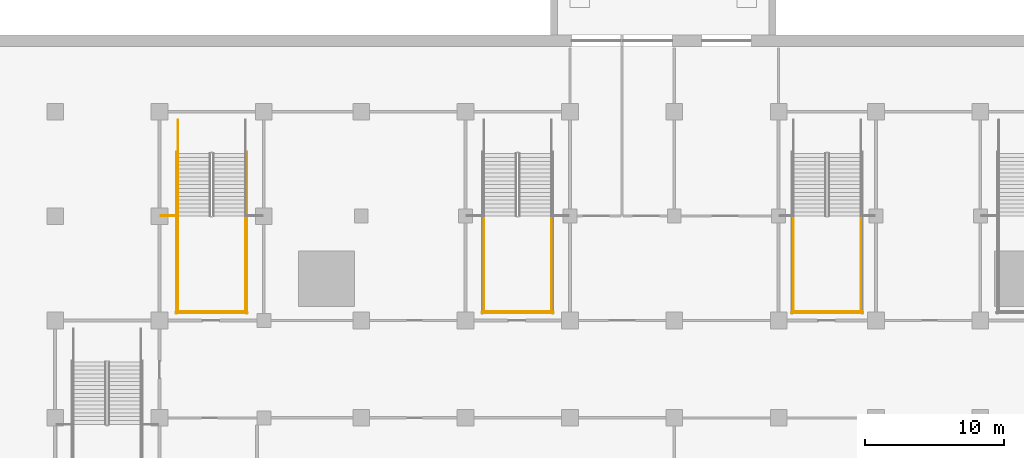
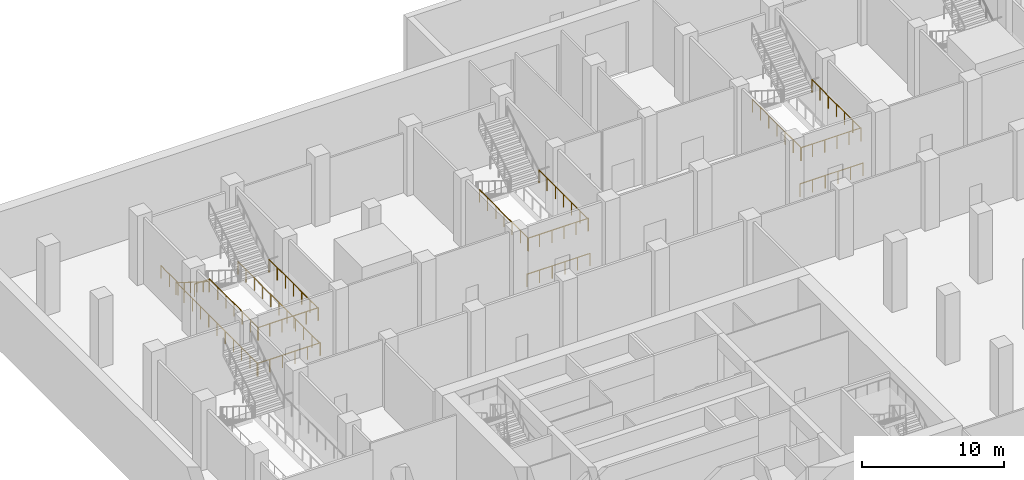
# One storey, part 34 of 45: 17 railings.
"""IFC4 building model written with IfcOpenShell, lengths in metres."""

from ifc_helpers import new_model, si_unit, direction, frame, origin, origin_2d, place, context, subcontext, project, spatial, circle, extrude, material, type_object, element, save


model = new_model("IFC4")

# Units and contexts
model_context = context("Model", 3, precision=1e-05, world=origin(), true_north=direction((0.0, 1.0)))
body_context = subcontext(model_context, "Body", "Model", "MODEL_VIEW")
ifc_project = project(units=[si_unit("LENGTHUNIT", "METRE"), si_unit("AREAUNIT", "SQUARE_METRE"), si_unit("VOLUMEUNIT", "CUBIC_METRE"), si_unit("PLANEANGLEUNIT", "RADIAN"), si_unit("MASSUNIT", "GRAM", prefix="KILO")], contexts=[model_context])

# Site, building, storey
site_placement = place(None, origin())
site = spatial("IfcSite", under=ifc_project, at=site_placement, CompositionType="ELEMENT")
building_placement = place(site_placement, origin())
building = spatial("IfcBuilding", under=site, at=building_placement, Name="Tamorin Gate", CompositionType="ELEMENT")
storey_placement = place(building_placement, frame((0.0, 0.0, -6.0)))
storey = spatial("IfcBuildingStorey", under=building, at=storey_placement, Name="B1", CompositionType="ELEMENT", Elevation=-6.0)

# Railings
ifc_material = material(Name="Steel", Category="steel")
railing_type_1 = type_object("IfcRailingType", Name="Podium guard 1100", PredefinedType="GUARDRAIL", material=ifc_material)
for number, where, name in (
    (1, (24.324951171875, 104.52001953125, 3.0), "B1 SB2 stair guard 3"),
    (2, (29.175048828125, 104.52001953125, 3.0), "B1 SB2 stair guard 4"),
):
    element("IfcRailing", number, at=place(storey_placement, frame(where)), inside=storey, type_object=railing_type_1, Name=name, PredefinedType="GUARDRAIL", context=body_context, shape_type="SweptSolid", body=[
        extrude(circle(Radius=0.02392578125, at=origin_2d()), frame((0.0, 0.0, 1.076171875), z_axis=(0.0, -1.0, 0.0), x_axis=(1.0, 0.0, 0.0)), (0.0, 0.0, 1.0), 6.919921875),
        extrude(circle(Radius=0.02099609375, at=origin_2d()), origin(), (0.0, 0.0, 1.0), 1.052001953125),
        extrude(circle(Radius=0.02099609375, at=origin_2d()), frame((0.0, -1.1533203125, 0.0)), (0.0, 0.0, 1.0), 1.052001953125),
        extrude(circle(Radius=0.02099609375, at=origin_2d()), frame((0.0, -2.306640625, 0.0)), (0.0, 0.0, 1.0), 1.052001953125),
        extrude(circle(Radius=0.02099609375, at=origin_2d()), frame((0.0, -3.4599609375, 0.0)), (0.0, 0.0, 1.0), 1.052001953125),
        extrude(circle(Radius=0.02099609375, at=origin_2d()), frame((0.0, -4.61328125, 0.0)), (0.0, 0.0, 1.0), 1.052001953125),
        extrude(circle(Radius=0.02099609375, at=origin_2d()), frame((0.0, -5.7666015625, 0.0)), (0.0, 0.0, 1.0), 1.052001953125),
        extrude(circle(Radius=0.02099609375, at=origin_2d()), frame((0.0, -6.919921875, 0.0)), (0.0, 0.0, 1.0), 1.052001953125),
    ])
railing_1_placement = place(storey_placement, frame((24.27490234375, 97.64990234375, 3.0)))
element("IfcRailing", 3, at=railing_1_placement, inside=storey, type_object=railing_type_1, Name="B1 SB2 stair guard 5", PredefinedType="GUARDRAIL", context=body_context, shape_type="SweptSolid", body=[
    extrude(circle(Radius=0.02392578125, at=origin_2d()), frame((0.0, 0.0, 1.076171875), z_axis=(1.0, 0.0, 0.0), x_axis=(0.0, 1.0, 0.0)), (0.0, 0.0, 1.0), 4.9501953125),
    extrude(circle(Radius=0.02099609375, at=origin_2d()), origin(), (0.0, 0.0, 1.0), 1.052001953125),
    extrude(circle(Radius=0.02099609375, at=origin_2d()), frame((0.989990234375, 0.0, 0.0)), (0.0, 0.0, 1.0), 1.052001953125),
    extrude(circle(Radius=0.02099609375, at=origin_2d()), frame((1.97998046875, 0.0, 0.0)), (0.0, 0.0, 1.0), 1.052001953125),
    extrude(circle(Radius=0.02099609375, at=origin_2d()), frame((2.97021484375, 0.0, 0.0)), (0.0, 0.0, 1.0), 1.052001953125),
    extrude(circle(Radius=0.02099609375, at=origin_2d()), frame((3.960205078125, 0.0, 0.0)), (0.0, 0.0, 1.0), 1.052001953125),
    extrude(circle(Radius=0.02099609375, at=origin_2d()), frame((4.9501953125, 0.0, 0.0)), (0.0, 0.0, 1.0), 1.052001953125),
])
railing_2_placement = place(storey_placement, frame((24.324951171875, 111.39990234375, 0.0)))
element("IfcRailing", 4, at=railing_2_placement, inside=storey, type_object=railing_type_1, Name="B1 SB2 stair guard 8", PredefinedType="GUARDRAIL", context=body_context, shape_type="SweptSolid", body=[
    extrude(circle(Radius=0.02392578125, at=origin_2d()), frame((0.0, 0.0, 1.076171875), z_axis=(0.0, -1.0, 0.0), x_axis=(1.0, 0.0, 0.0)), (0.0, 0.0, 1.0), 2.39990234375),
    extrude(circle(Radius=0.02099609375, at=origin_2d()), origin(), (0.0, 0.0, 1.0), 1.052001953125),
    extrude(circle(Radius=0.02099609375, at=origin_2d()), frame((0.0, -1.199951171875, 0.0)), (0.0, 0.0, 1.0), 1.052001953125),
    extrude(circle(Radius=0.02099609375, at=origin_2d()), frame((0.0, -2.39990234375, 0.0)), (0.0, 0.0, 1.0), 1.052001953125),
])
for number, where, name in (
    (5, (24.22509765625, 109.10009765625, 0.0), "B1 SB2 stair guard 10"),
    (6, (29.27490234375, 109.10009765625, 0.0), "B1 SB2 stair guard 11"),
):
    element("IfcRailing", number, at=place(storey_placement, frame(where)), inside=storey, type_object=railing_type_1, Name=name, PredefinedType="GUARDRAIL", context=body_context, shape_type="SweptSolid", body=[
        extrude(circle(Radius=0.02392578125, at=origin_2d()), frame((0.0, 0.0, 1.076171875), z_axis=(0.0, -1.0, 0.0), x_axis=(1.0, 0.0, 0.0)), (0.0, 0.0, 1.0), 11.60009765625),
        extrude(circle(Radius=0.02099609375, at=origin_2d()), origin(), (0.0, 0.0, 1.0), 1.052001953125),
        extrude(circle(Radius=0.02099609375, at=origin_2d()), frame((0.0, -1.159912109375, 0.0)), (0.0, 0.0, 1.0), 1.052001953125),
        extrude(circle(Radius=0.02099609375, at=origin_2d()), frame((0.0, -2.320068359375, 0.0)), (0.0, 0.0, 1.0), 1.052001953125),
        extrude(circle(Radius=0.02099609375, at=origin_2d()), frame((0.0, -3.47998046875, 0.0)), (0.0, 0.0, 1.0), 1.052001953125),
        extrude(circle(Radius=0.02099609375, at=origin_2d()), frame((0.0, -4.64013671875, 0.0)), (0.0, 0.0, 1.0), 1.052001953125),
        extrude(circle(Radius=0.02099609375, at=origin_2d()), frame((0.0, -5.800048828125, 0.0)), (0.0, 0.0, 1.0), 1.052001953125),
        extrude(circle(Radius=0.02099609375, at=origin_2d()), frame((0.0, -6.9599609375, 0.0)), (0.0, 0.0, 1.0), 1.052001953125),
        extrude(circle(Radius=0.02099609375, at=origin_2d()), frame((0.0, -8.1201171875, 0.0)), (0.0, 0.0, 1.0), 1.052001953125),
        extrude(circle(Radius=0.02099609375, at=origin_2d()), frame((0.0, -9.280029296875, 0.0)), (0.0, 0.0, 1.0), 1.052001953125),
        extrude(circle(Radius=0.02099609375, at=origin_2d()), frame((0.0, -10.440185546875, 0.0)), (0.0, 0.0, 1.0), 1.052001953125),
        extrude(circle(Radius=0.02099609375, at=origin_2d()), frame((0.0, -11.60009765625, 0.0)), (0.0, 0.0, 1.0), 1.052001953125),
    ])
railing_3_placement = place(storey_placement, frame((24.175048828125, 97.550048828125, 0.0)))
element("IfcRailing", 7, at=railing_3_placement, inside=storey, type_object=railing_type_1, Name="B1 SB2 stair guard 12", PredefinedType="GUARDRAIL", context=body_context, shape_type="SweptSolid", body=[
    extrude(circle(Radius=0.02392578125, at=origin_2d()), frame((0.0, 0.0, 1.076171875), z_axis=(1.0, 0.0, 0.0), x_axis=(0.0, 1.0, 0.0)), (0.0, 0.0, 1.0), 5.14990234375),
    extrude(circle(Radius=0.02099609375, at=origin_2d()), origin(), (0.0, 0.0, 1.0), 1.052001953125),
    extrude(circle(Radius=0.02099609375, at=origin_2d()), frame((1.030029296875, 0.0, 0.0)), (0.0, 0.0, 1.0), 1.052001953125),
    extrude(circle(Radius=0.02099609375, at=origin_2d()), frame((2.06005859375, 0.0, 0.0)), (0.0, 0.0, 1.0), 1.052001953125),
    extrude(circle(Radius=0.02099609375, at=origin_2d()), frame((3.08984375, 0.0, 0.0)), (0.0, 0.0, 1.0), 1.052001953125),
    extrude(circle(Radius=0.02099609375, at=origin_2d()), frame((4.119873046875, 0.0, 0.0)), (0.0, 0.0, 1.0), 1.052001953125),
    extrude(circle(Radius=0.02099609375, at=origin_2d()), frame((5.14990234375, 0.0, 0.0)), (0.0, 0.0, 1.0), 1.052001953125),
])
railing_4_placement = place(storey_placement, frame((23.10009765625, 104.52001953125, 3.0)))
element("IfcRailing", 8, at=railing_4_placement, inside=storey, type_object=railing_type_1, Name="Landing edge guard", PredefinedType="GUARDRAIL", context=body_context, shape_type="SweptSolid", body=[
    extrude(circle(Radius=0.02392578125, at=origin_2d()), frame((0.0, 0.0, 1.076171875), z_axis=(1.0, 0.0, 0.0), x_axis=(0.0, 1.0, 0.0)), (0.0, 0.0, 1.0), 1.1748046875),
    extrude(circle(Radius=0.02099609375, at=origin_2d()), origin(), (0.0, 0.0, 1.0), 1.052001953125),
    extrude(circle(Radius=0.02099609375, at=origin_2d()), frame((1.1748046875, 0.0, 0.0)), (0.0, 0.0, 1.0), 1.052001953125),
])
for number, where, name in (
    (9, (46.324951171875, 104.52001953125, 3.0), "B1 SB3 stair guard 3"),
    (10, (51.175048828125, 104.52001953125, 3.0), "B1 SB3 stair guard 4"),
):
    element("IfcRailing", number, at=place(storey_placement, frame(where)), inside=storey, type_object=railing_type_1, Name=name, PredefinedType="GUARDRAIL", context=body_context, shape_type="SweptSolid", body=[
        extrude(circle(Radius=0.02392578125, at=origin_2d()), frame((0.0, 0.0, 1.076171875), z_axis=(0.0, -1.0, 0.0), x_axis=(1.0, 0.0, 0.0)), (0.0, 0.0, 1.0), 6.919921875),
        extrude(circle(Radius=0.02099609375, at=origin_2d()), origin(), (0.0, 0.0, 1.0), 1.052001953125),
        extrude(circle(Radius=0.02099609375, at=origin_2d()), frame((0.0, -1.1533203125, 0.0)), (0.0, 0.0, 1.0), 1.052001953125),
        extrude(circle(Radius=0.02099609375, at=origin_2d()), frame((0.0, -2.306640625, 0.0)), (0.0, 0.0, 1.0), 1.052001953125),
        extrude(circle(Radius=0.02099609375, at=origin_2d()), frame((0.0, -3.4599609375, 0.0)), (0.0, 0.0, 1.0), 1.052001953125),
        extrude(circle(Radius=0.02099609375, at=origin_2d()), frame((0.0, -4.61328125, 0.0)), (0.0, 0.0, 1.0), 1.052001953125),
        extrude(circle(Radius=0.02099609375, at=origin_2d()), frame((0.0, -5.7666015625, 0.0)), (0.0, 0.0, 1.0), 1.052001953125),
        extrude(circle(Radius=0.02099609375, at=origin_2d()), frame((0.0, -6.919921875, 0.0)), (0.0, 0.0, 1.0), 1.052001953125),
    ])
railing_5_placement = place(storey_placement, frame((46.27490234375, 97.64990234375, 3.0)))
element("IfcRailing", 11, at=railing_5_placement, inside=storey, type_object=railing_type_1, Name="B1 SB3 stair guard 5", PredefinedType="GUARDRAIL", context=body_context, shape_type="SweptSolid", body=[
    extrude(circle(Radius=0.02392578125, at=origin_2d()), frame((0.0, 0.0, 1.076171875), z_axis=(1.0, 0.0, 0.0), x_axis=(0.0, 1.0, 0.0)), (0.0, 0.0, 1.0), 4.9501953125),
    extrude(circle(Radius=0.02099609375, at=origin_2d()), origin(), (0.0, 0.0, 1.0), 1.052001953125),
    extrude(circle(Radius=0.02099609375, at=origin_2d()), frame((0.989990234375, 0.0, 0.0)), (0.0, 0.0, 1.0), 1.052001953125),
    extrude(circle(Radius=0.02099609375, at=origin_2d()), frame((1.97998046875, 0.0, 0.0)), (0.0, 0.0, 1.0), 1.052001953125),
    extrude(circle(Radius=0.02099609375, at=origin_2d()), frame((2.97021484375, 0.0, 0.0)), (0.0, 0.0, 1.0), 1.052001953125),
    extrude(circle(Radius=0.02099609375, at=origin_2d()), frame((3.960205078125, 0.0, 0.0)), (0.0, 0.0, 1.0), 1.052001953125),
    extrude(circle(Radius=0.02099609375, at=origin_2d()), frame((4.9501953125, 0.0, 0.0)), (0.0, 0.0, 1.0), 1.052001953125),
])
railing_6_placement = place(storey_placement, frame((46.175048828125, 97.550048828125, 0.0)))
element("IfcRailing", 12, at=railing_6_placement, inside=storey, type_object=railing_type_1, Name="B1 SB3 stair guard 12", PredefinedType="GUARDRAIL", context=body_context, shape_type="SweptSolid", body=[
    extrude(circle(Radius=0.02392578125, at=origin_2d()), frame((0.0, 0.0, 1.076171875), z_axis=(1.0, 0.0, 0.0), x_axis=(0.0, 1.0, 0.0)), (0.0, 0.0, 1.0), 5.14990234375),
    extrude(circle(Radius=0.02099609375, at=origin_2d()), origin(), (0.0, 0.0, 1.0), 1.052001953125),
    extrude(circle(Radius=0.02099609375, at=origin_2d()), frame((1.030029296875, 0.0, 0.0)), (0.0, 0.0, 1.0), 1.052001953125),
    extrude(circle(Radius=0.02099609375, at=origin_2d()), frame((2.06005859375, 0.0, 0.0)), (0.0, 0.0, 1.0), 1.052001953125),
    extrude(circle(Radius=0.02099609375, at=origin_2d()), frame((3.08984375, 0.0, 0.0)), (0.0, 0.0, 1.0), 1.052001953125),
    extrude(circle(Radius=0.02099609375, at=origin_2d()), frame((4.119873046875, 0.0, 0.0)), (0.0, 0.0, 1.0), 1.052001953125),
    extrude(circle(Radius=0.02099609375, at=origin_2d()), frame((5.14990234375, 0.0, 0.0)), (0.0, 0.0, 1.0), 1.052001953125),
])
for number, where, name in (
    (13, (68.574951171875, 104.52001953125, 3.0), "B1 SB4 stair guard 3"),
    (14, (73.425048828125, 104.52001953125, 3.0), "B1 SB4 stair guard 4"),
):
    element("IfcRailing", number, at=place(storey_placement, frame(where)), inside=storey, type_object=railing_type_1, Name=name, PredefinedType="GUARDRAIL", context=body_context, shape_type="SweptSolid", body=[
        extrude(circle(Radius=0.02392578125, at=origin_2d()), frame((0.0, 0.0, 1.076171875), z_axis=(0.0, -1.0, 0.0), x_axis=(1.0, 0.0, 0.0)), (0.0, 0.0, 1.0), 6.919921875),
        extrude(circle(Radius=0.02099609375, at=origin_2d()), origin(), (0.0, 0.0, 1.0), 1.052001953125),
        extrude(circle(Radius=0.02099609375, at=origin_2d()), frame((0.0, -1.1533203125, 0.0)), (0.0, 0.0, 1.0), 1.052001953125),
        extrude(circle(Radius=0.02099609375, at=origin_2d()), frame((0.0, -2.306640625, 0.0)), (0.0, 0.0, 1.0), 1.052001953125),
        extrude(circle(Radius=0.02099609375, at=origin_2d()), frame((0.0, -3.4599609375, 0.0)), (0.0, 0.0, 1.0), 1.052001953125),
        extrude(circle(Radius=0.02099609375, at=origin_2d()), frame((0.0, -4.61328125, 0.0)), (0.0, 0.0, 1.0), 1.052001953125),
        extrude(circle(Radius=0.02099609375, at=origin_2d()), frame((0.0, -5.7666015625, 0.0)), (0.0, 0.0, 1.0), 1.052001953125),
        extrude(circle(Radius=0.02099609375, at=origin_2d()), frame((0.0, -6.919921875, 0.0)), (0.0, 0.0, 1.0), 1.052001953125),
    ])
railing_7_placement = place(storey_placement, frame((68.52490234375, 97.64990234375, 3.0)))
element("IfcRailing", 15, at=railing_7_placement, inside=storey, type_object=railing_type_1, Name="B1 SB4 stair guard 5", PredefinedType="GUARDRAIL", context=body_context, shape_type="SweptSolid", body=[
    extrude(circle(Radius=0.02392578125, at=origin_2d()), frame((0.0, 0.0, 1.076171875), z_axis=(1.0, 0.0, 0.0), x_axis=(0.0, 1.0, 0.0)), (0.0, 0.0, 1.0), 4.9501953125),
    extrude(circle(Radius=0.02099609375, at=origin_2d()), origin(), (0.0, 0.0, 1.0), 1.052001953125),
    extrude(circle(Radius=0.02099609375, at=origin_2d()), frame((0.989990234375, 0.0, 0.0)), (0.0, 0.0, 1.0), 1.052001953125),
    extrude(circle(Radius=0.02099609375, at=origin_2d()), frame((1.97998046875, 0.0, 0.0)), (0.0, 0.0, 1.0), 1.052001953125),
    extrude(circle(Radius=0.02099609375, at=origin_2d()), frame((2.97021484375, 0.0, 0.0)), (0.0, 0.0, 1.0), 1.052001953125),
    extrude(circle(Radius=0.02099609375, at=origin_2d()), frame((3.960205078125, 0.0, 0.0)), (0.0, 0.0, 1.0), 1.052001953125),
    extrude(circle(Radius=0.02099609375, at=origin_2d()), frame((4.9501953125, 0.0, 0.0)), (0.0, 0.0, 1.0), 1.052001953125),
])
railing_8_placement = place(storey_placement, frame((68.425048828125, 97.550048828125, 0.0)))
element("IfcRailing", 16, at=railing_8_placement, inside=storey, type_object=railing_type_1, Name="B1 SB4 stair guard 12", PredefinedType="GUARDRAIL", context=body_context, shape_type="SweptSolid", body=[
    extrude(circle(Radius=0.02392578125, at=origin_2d()), frame((0.0, 0.0, 1.076171875), z_axis=(1.0, 0.0, 0.0), x_axis=(0.0, 1.0, 0.0)), (0.0, 0.0, 1.0), 5.14990234375),
    extrude(circle(Radius=0.02099609375, at=origin_2d()), origin(), (0.0, 0.0, 1.0), 1.052001953125),
    extrude(circle(Radius=0.02099609375, at=origin_2d()), frame((1.030029296875, 0.0, 0.0)), (0.0, 0.0, 1.0), 1.052001953125),
    extrude(circle(Radius=0.02099609375, at=origin_2d()), frame((2.06005859375, 0.0, 0.0)), (0.0, 0.0, 1.0), 1.052001953125),
    extrude(circle(Radius=0.02099609375, at=origin_2d()), frame((3.08984375, 0.0, 0.0)), (0.0, 0.0, 1.0), 1.052001953125),
    extrude(circle(Radius=0.02099609375, at=origin_2d()), frame((4.119873046875, 0.0, 0.0)), (0.0, 0.0, 1.0), 1.052001953125),
    extrude(circle(Radius=0.02099609375, at=origin_2d()), frame((5.14990234375, 0.0, 0.0)), (0.0, 0.0, 1.0), 1.052001953125),
])
railing_type_2 = type_object("IfcRailingType", Name="Podium stair handrail 900", PredefinedType="HANDRAIL", material=ifc_material)
railing_9_placement = place(storey_placement, frame((24.324951171875, 109.0, 0.176513671875)))
element("IfcRailing", 17, at=railing_9_placement, inside=storey, type_object=railing_type_2, Name="B1 SB2 stair handrail 1", PredefinedType="HANDRAIL", context=body_context, shape_type="SweptSolid", body=[
    extrude(circle(Radius=0.02392578125, at=origin_2d()), frame((0.0, 0.0, 0.8759765625), z_axis=(0.0, -0.845997938375, 0.533186166611), x_axis=(1.0, 0.0, 0.0)), (0.0, 0.0, 1.0), 5.29541015625),
    extrude(circle(Radius=0.02099609375, at=origin_2d()), origin(), (0.0, 0.0, 1.0), 0.851806640625),
    extrude(circle(Radius=0.02099609375, at=origin_2d()), frame((0.0, -0.89599609375, 0.564697265625)), (0.0, 0.0, 1.0), 0.851806640625),
    extrude(circle(Radius=0.02099609375, at=origin_2d()), frame((0.0, -1.7919921875, 1.12939453125)), (0.0, 0.0, 1.0), 0.851806640625),
    extrude(circle(Radius=0.02099609375, at=origin_2d()), frame((0.0, -2.68798828125, 1.694091796875)), (0.0, 0.0, 1.0), 0.851806640625),
    extrude(circle(Radius=0.02099609375, at=origin_2d()), frame((0.0, -3.583984375, 2.2587890625)), (0.0, 0.0, 1.0), 0.851806640625),
    extrude(circle(Radius=0.02099609375, at=origin_2d()), frame((0.0, -4.47998046875, 2.823486328125)), (0.0, 0.0, 1.0), 0.851806640625),
])

save(model, "model.ifc")
